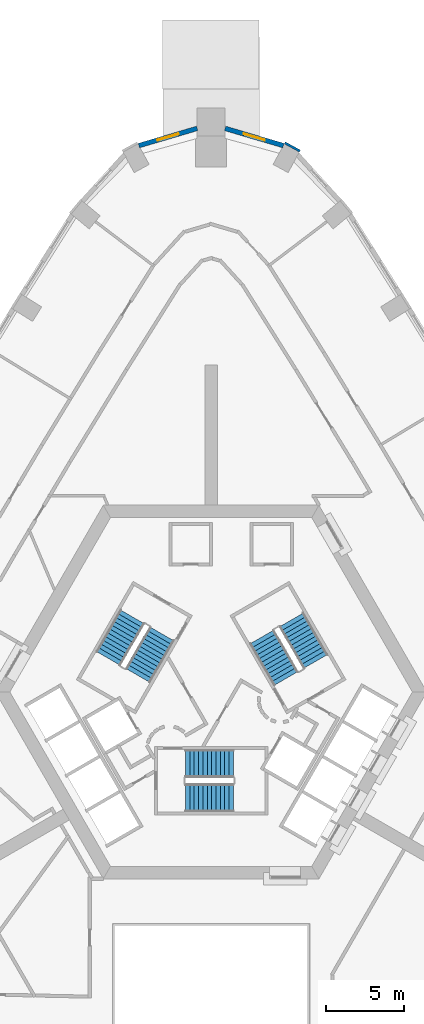
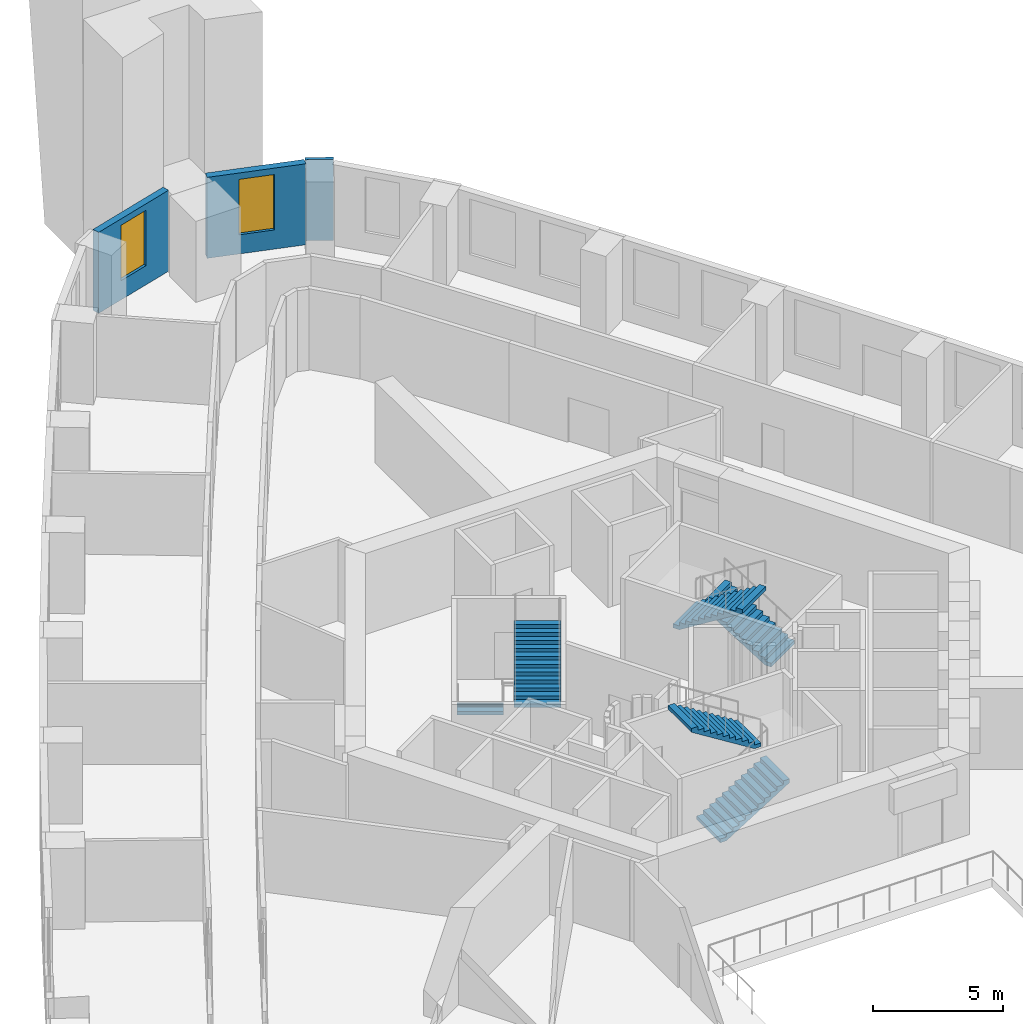
# One storey, part 11 of 14: 6 stair flights, 3 walls, 2 windows, 2 openings, 3 elements without a shape of their own.
"""IFC4 building model written with IfcOpenShell, lengths in metres."""

from ifc_helpers import new_model, si_unit, direction, frame, frame_2d, origin, place, context, subcontext, project, spatial, polyline, rectangle, outline, extrude, material, layer, layer_set, type_object, element, fill, aggregate, save


model = new_model("IFC4")

# Units and contexts
model_context = context("Model", 3, precision=1e-05, world=origin(), true_north=direction((0.0, 1.0)))
body_context = subcontext(model_context, "Body", "Model", "MODEL_VIEW")
ifc_project = project(units=[si_unit("LENGTHUNIT", "METRE"), si_unit("AREAUNIT", "SQUARE_METRE"), si_unit("VOLUMEUNIT", "CUBIC_METRE"), si_unit("PLANEANGLEUNIT", "RADIAN"), si_unit("MASSUNIT", "GRAM", prefix="KILO")], contexts=[model_context])

# Site, building, storey
site_placement = place(None, origin())
site = spatial("IfcSite", under=ifc_project, at=site_placement, CompositionType="ELEMENT")
building_placement = place(site_placement, origin())
building = spatial("IfcBuilding", under=site, at=building_placement, Name="Entoto Arch Interchange Tower", CompositionType="ELEMENT")
storey_placement = place(building_placement, frame((0.0, 0.0, 163.39990234375)))
storey = spatial("IfcBuildingStorey", under=building, at=storey_placement, Name="L36", CompositionType="ELEMENT", Elevation=163.39990234375)

# Wall, opening, window
ifc_material_1 = material(Name="Welded tuff (ignimbrite) cladding, warm buff", Category="masonry")
ifc_layer_1 = layer(ifc_material_1, 0.300048828125)
ifc_layer_set_1 = layer_set([ifc_layer_1], Name="Welded tuff (ignimbrite) cladding, warm buff")
wall_type_1 = type_object("IfcWallType", Name="STONE INFILL WALL 300", PredefinedType="STANDARD", material=ifc_layer_set_1)
wall_1_placement = place(storey_placement, frame((4.64111328125, 37.60400390625, 0.0), z_axis=(0.0, 0.0, 1.0), x_axis=(-0.959064064953, 0.283189193501, 0.0)))
wall_1 = element("IfcWall", 1, at=wall_1_placement, inside=storey, type_object=wall_type_1, Name="Facade wall N-02 L36", PredefinedType="STANDARD", context=body_context, shape_type="SweptSolid", body=[
    extrude(rectangle(XDim=3.90185546875, YDim=0.300048828125, at=frame_2d((1.950927734375, 0.0))), origin(), (0.0, 0.0, 1.0), 3.800048828125),
])
opening_1_placement = place(wall_1_placement, frame((1.2509765625, 0.0, 0.89990234375)))
opening_1 = element("IfcOpeningElement", 2, at=opening_1_placement, cuts=wall_1, Name="Opening WO-B", PredefinedType="OPENING", context=body_context, shape_type="SweptSolid", body=[
    extrude(rectangle(XDim=1.39990234375, YDim=2.60009765625, at=frame_2d((0.699951171875, 1.300048828125))), frame((0.0, 0.16015625, 0.0), z_axis=(0.0, -1.0, 0.0), x_axis=(1.0, 0.0, 0.0)), (0.0, 0.0, 1.0), 0.320068359375),
])
ifc_material_2 = material(Name="Clear glass, low-e double glazed", Category="glass")
window_type = type_object("IfcWindowType", Name="WINDOW WO-B 1400x2600", PartitioningType="DOUBLE_PANEL_VERTICAL", PredefinedType="WINDOW", material=ifc_material_2)
window_1_placement = place(opening_1_placement, origin())
window_1 = element("IfcWindow", 3, at=window_1_placement, inside=storey, type_object=window_type, Name="Window WO-B N-02 L36", OverallHeight=2.60009765625, OverallWidth=1.39990234375, PartitioningType="SINGLE_PANEL", PredefinedType="WINDOW", context=body_context, shape_type="SweptSolid", body=[
    extrude(rectangle(XDim=1.39990234375, YDim=2.60009765625, at=frame_2d((0.699951171875, 1.300048828125))), frame((0.0, 0.030029296875, 0.0), z_axis=(0.0, -1.0, 0.0), x_axis=(1.0, 0.0, 0.0)), (0.0, 0.0, 1.0), 0.06005859375),
])
fill(opening_1, window_1)

wall_2_placement = place(storey_placement, frame((-0.89892578125, 38.708984375, 0.0), z_axis=(0.0, 0.0, 1.0), x_axis=(-0.959064064953, -0.283189193501, 0.0)))
wall_2 = element("IfcWall", 4, at=wall_2_placement, inside=storey, type_object=wall_type_1, Name="Facade wall N-03 L36", PredefinedType="STANDARD", context=body_context, shape_type="SweptSolid", body=[
    extrude(rectangle(XDim=3.90185546875, YDim=0.300048828125, at=frame_2d((1.950927734375, 0.0))), origin(), (0.0, 0.0, 1.0), 3.800048828125),
])
opening_2_placement = place(wall_2_placement, frame((1.2509765625, 0.0, 0.89990234375)))
opening_2 = element("IfcOpeningElement", 5, at=opening_2_placement, cuts=wall_2, Name="Opening WO-B", PredefinedType="OPENING", context=body_context, shape_type="SweptSolid", body=[
    extrude(rectangle(XDim=1.39990234375, YDim=2.60009765625, at=frame_2d((0.699951171875, 1.300048828125))), frame((0.0, 0.16015625, 0.0), z_axis=(0.0, -1.0, 0.0), x_axis=(1.0, 0.0, 0.0)), (0.0, 0.0, 1.0), 0.320068359375),
])
window_2_placement = place(opening_2_placement, origin())
window_2 = element("IfcWindow", 6, at=window_2_placement, inside=storey, type_object=window_type, Name="Window WO-B N-03 L36", OverallHeight=2.60009765625, OverallWidth=1.39990234375, PartitioningType="SINGLE_PANEL", PredefinedType="WINDOW", context=body_context, shape_type="SweptSolid", body=[
    extrude(rectangle(XDim=1.39990234375, YDim=2.60009765625, at=frame_2d((0.699951171875, 1.300048828125))), frame((0.0, 0.030029296875, 0.0), z_axis=(0.0, -1.0, 0.0), x_axis=(1.0, 0.0, 0.0)), (0.0, 0.0, 1.0), 0.06005859375),
])
fill(opening_2, window_2)

# Wall
ifc_layer_2 = layer(ifc_material_1, 0.14990234375)
ifc_layer_set_2 = layer_set([ifc_layer_2], Name="Welded tuff (ignimbrite) cladding, warm buff")
wall_type_2 = type_object("IfcWallType", Name="STONE PIER CLADDING 150", PredefinedType="STANDARD", material=ifc_layer_set_2)
wall_3_placement = place(storey_placement, frame((5.699951171875, 37.2509765625, 0.0), z_axis=(0.0, 0.0, 1.0), x_axis=(-0.877836219403, 0.478960929414, 0.0)))
element("IfcWall", 7, at=wall_3_placement, inside=storey, type_object=wall_type_2, Name="Stone pier N1 L36", PredefinedType="STANDARD", context=body_context, shape_type="SweptSolid", body=[
    extrude(rectangle(XDim=1.1005859375, YDim=0.14990234375, at=frame_2d((0.55029296875, 0.0))), origin(), (0.0, 0.0, 1.0), 3.800048828125),
])

# Stair, stair flights
ifc_material_3 = material(Name="Concrete C40/50", Category="concrete")
stair_type = type_object("IfcStairType", Name="EXIT STAIR RC 1800", PredefinedType="HALF_TURN_STAIR", material=ifc_material_3)
stair_1_placement = place(storey_placement, origin())
stair_1 = element("IfcStair", 8, at=stair_1_placement, inside=storey, type_object=stair_type, Name="L36 Exit stair S", PredefinedType="HALF_TURN_STAIR")
stair_flight_type = type_object("IfcStairFlightType", Name="EXIT STAIR FLIGHT RC 1800", PredefinedType="STRAIGHT", material=ifc_material_3)
stair_flight_1_placement = place(storey_placement, frame((-1.64990234375, -4.300048828125, 0.0), z_axis=(0.0, 0.0, 1.0), x_axis=(1.0, 0.0, 0.0)))
stair_flight_1 = element("IfcStairFlight", 9, at=stair_flight_1_placement, type_object=stair_flight_type, Name="ST-S flight 1", NumberOfRisers=12, NumberOfTreads=11, PredefinedType="STRAIGHT", RiserHeight=0.175, TreadLength=0.28, context=body_context, shape_type="SweptSolid", body=[
    extrude(outline(polyline([(-0.0029296875, 0.0), (-0.0029296875, 0.175048828125), (0.280029296875, 0.175048828125), (0.280029296875, 0.35009765625), (0.56005859375, 0.35009765625), (0.56005859375, 0.52490234375), (0.840087890625, 0.52490234375), (0.840087890625, 0.699951171875), (1.1201171875, 0.699951171875), (1.1201171875, 0.875), (1.39990234375, 0.875), (1.39990234375, 1.050048828125), (1.679931640625, 1.050048828125), (1.679931640625, 1.22509765625), (1.9599609375, 1.22509765625), (1.9599609375, 1.39990234375), (2.239990234375, 1.39990234375), (2.239990234375, 1.574951171875), (2.52001953125, 1.574951171875), (2.52001953125, 1.75), (2.800048828125, 1.75), (2.800048828125, 1.925048828125), (3.080078125, 1.925048828125), (3.0830078125, 1.925048828125), (3.0830078125, 1.75), (0.28271484375, 0.0), (-0.0029296875, 0.0)])), frame((0.0, 0.89990234375, 0.0), z_axis=(0.0, -1.0, 0.0), x_axis=(1.0, 0.0, 0.0)), (0.0, 0.0, 1.0), 1.800048828125),
])
stair_flight_2_placement = place(storey_placement, frame((1.429931640625, -2.10009765625, 2.10009765625), z_axis=(0.0, 0.0, 1.0), x_axis=(-1.0, 0.0, 0.0)))
stair_flight_2 = element("IfcStairFlight", 10, at=stair_flight_2_placement, type_object=stair_flight_type, Name="ST-S flight 2", NumberOfRisers=12, NumberOfTreads=11, PredefinedType="STRAIGHT", RiserHeight=0.175, TreadLength=0.28, context=body_context, shape_type="SweptSolid", body=[
    extrude(outline(polyline([(-0.0029296875, 0.0), (-0.0029296875, 0.175048828125), (0.280029296875, 0.175048828125), (0.280029296875, 0.35009765625), (0.56005859375, 0.35009765625), (0.56005859375, 0.52490234375), (0.840087890625, 0.52490234375), (0.840087890625, 0.699951171875), (1.1201171875, 0.699951171875), (1.1201171875, 0.875), (1.39990234375, 0.875), (1.39990234375, 1.050048828125), (1.679931640625, 1.050048828125), (1.679931640625, 1.22509765625), (1.9599609375, 1.22509765625), (1.9599609375, 1.39990234375), (2.239990234375, 1.39990234375), (2.239990234375, 1.574951171875), (2.52001953125, 1.574951171875), (2.52001953125, 1.75), (2.800048828125, 1.75), (2.800048828125, 1.925048828125), (3.080078125, 1.925048828125), (3.0830078125, 1.925048828125), (3.0830078125, 1.75), (0.28271484375, 0.0), (-0.0029296875, 0.0)])), frame((0.0, 0.89990234375, 0.0), z_axis=(0.0, -1.0, 0.0), x_axis=(1.0, 0.0, 0.0)), (0.0, 0.0, 1.0), 1.800048828125),
])
aggregate(stair_1, [stair_flight_1, stair_flight_2])

stair_2_placement = place(storey_placement, origin())
stair_2 = element("IfcStair", 11, at=stair_2_placement, inside=storey, type_object=stair_type, Name="L36 Exit stair NE", PredefinedType="HALF_TURN_STAIR")
stair_flight_3_placement = place(storey_placement, frame((6.7138671875, 4.470947265625, 0.0), z_axis=(0.0, 0.0, 1.0), x_axis=(-0.5, 0.866025403784, 0.0)))
stair_flight_3 = element("IfcStairFlight", 12, at=stair_flight_3_placement, type_object=stair_flight_type, Name="ST-NE flight 1", NumberOfRisers=12, NumberOfTreads=11, PredefinedType="STRAIGHT", RiserHeight=0.175, TreadLength=0.28, context=body_context, shape_type="SweptSolid", body=[
    extrude(outline(polyline([(-0.0029296875, 0.0), (-0.0029296875, 0.175048828125), (0.280029296875, 0.175048828125), (0.280029296875, 0.35009765625), (0.56005859375, 0.35009765625), (0.56005859375, 0.52490234375), (0.840087890625, 0.52490234375), (0.840087890625, 0.699951171875), (1.1201171875, 0.699951171875), (1.1201171875, 0.875), (1.39990234375, 0.875), (1.39990234375, 1.050048828125), (1.679931640625, 1.050048828125), (1.679931640625, 1.22509765625), (1.9599609375, 1.22509765625), (1.9599609375, 1.39990234375), (2.239990234375, 1.39990234375), (2.239990234375, 1.574951171875), (2.52001953125, 1.574951171875), (2.52001953125, 1.75), (2.800048828125, 1.75), (2.800048828125, 1.925048828125), (3.080078125, 1.925048828125), (3.0830078125, 1.925048828125), (3.0830078125, 1.75), (0.28271484375, 0.0), (-0.0029296875, 0.0)])), frame((0.0, 0.89990234375, 0.0), z_axis=(0.0, -1.0, 0.0), x_axis=(1.0, 0.0, 0.0)), (0.0, 0.0, 1.0), 1.800048828125),
])
stair_flight_4_placement = place(storey_placement, frame((3.268798828125, 6.038330078125, 2.10009765625), z_axis=(0.0, 0.0, 1.0), x_axis=(0.5, -0.866025403784, 0.0)))
stair_flight_4 = element("IfcStairFlight", 13, at=stair_flight_4_placement, type_object=stair_flight_type, Name="ST-NE flight 2", NumberOfRisers=12, NumberOfTreads=11, PredefinedType="STRAIGHT", RiserHeight=0.175, TreadLength=0.28, context=body_context, shape_type="SweptSolid", body=[
    extrude(outline(polyline([(-0.0029296875, 0.0), (-0.0029296875, 0.175048828125), (0.280029296875, 0.175048828125), (0.280029296875, 0.35009765625), (0.56005859375, 0.35009765625), (0.56005859375, 0.52490234375), (0.840087890625, 0.52490234375), (0.840087890625, 0.699951171875), (1.1201171875, 0.699951171875), (1.1201171875, 0.875), (1.39990234375, 0.875), (1.39990234375, 1.050048828125), (1.679931640625, 1.050048828125), (1.679931640625, 1.22509765625), (1.9599609375, 1.22509765625), (1.9599609375, 1.39990234375), (2.239990234375, 1.39990234375), (2.239990234375, 1.574951171875), (2.52001953125, 1.574951171875), (2.52001953125, 1.75), (2.800048828125, 1.75), (2.800048828125, 1.925048828125), (3.080078125, 1.925048828125), (3.0830078125, 1.925048828125), (3.0830078125, 1.75), (0.28271484375, 0.0), (-0.0029296875, 0.0)])), frame((0.0, 0.89990234375, 0.0), z_axis=(0.0, -1.0, 0.0), x_axis=(1.0, 0.0, 0.0)), (0.0, 0.0, 1.0), 1.800048828125),
])
aggregate(stair_2, [stair_flight_3, stair_flight_4])

stair_3_placement = place(storey_placement, origin())
stair_3 = element("IfcStair", 14, at=stair_3_placement, inside=storey, type_object=stair_type, Name="L36 Exit stair NW", PredefinedType="HALF_TURN_STAIR")
stair_flight_5_placement = place(storey_placement, frame((-5.06396484375, 7.328857421875, 0.0), z_axis=(0.0, 0.0, 1.0), x_axis=(-0.5, -0.866025403784, 0.0)))
stair_flight_5 = element("IfcStairFlight", 15, at=stair_flight_5_placement, type_object=stair_flight_type, Name="ST-NW flight 1", NumberOfRisers=12, NumberOfTreads=11, PredefinedType="STRAIGHT", RiserHeight=0.175, TreadLength=0.28, context=body_context, shape_type="SweptSolid", body=[
    extrude(outline(polyline([(-0.0029296875, 0.0), (-0.0029296875, 0.175048828125), (0.280029296875, 0.175048828125), (0.280029296875, 0.35009765625), (0.56005859375, 0.35009765625), (0.56005859375, 0.52490234375), (0.840087890625, 0.52490234375), (0.840087890625, 0.699951171875), (1.1201171875, 0.699951171875), (1.1201171875, 0.875), (1.39990234375, 0.875), (1.39990234375, 1.050048828125), (1.679931640625, 1.050048828125), (1.679931640625, 1.22509765625), (1.9599609375, 1.22509765625), (1.9599609375, 1.39990234375), (2.239990234375, 1.39990234375), (2.239990234375, 1.574951171875), (2.52001953125, 1.574951171875), (2.52001953125, 1.75), (2.800048828125, 1.75), (2.800048828125, 1.925048828125), (3.080078125, 1.925048828125), (3.0830078125, 1.925048828125), (3.0830078125, 1.75), (0.28271484375, 0.0), (-0.0029296875, 0.0)])), frame((0.0, 0.89990234375, 0.0), z_axis=(0.0, -1.0, 0.0), x_axis=(1.0, 0.0, 0.0)), (0.0, 0.0, 1.0), 1.800048828125),
])
stair_flight_6_placement = place(storey_placement, frame((-4.69873046875, 3.5615234375, 2.10009765625), z_axis=(0.0, 0.0, 1.0), x_axis=(0.5, 0.866025403784, 0.0)))
stair_flight_6 = element("IfcStairFlight", 16, at=stair_flight_6_placement, type_object=stair_flight_type, Name="ST-NW flight 2", NumberOfRisers=12, NumberOfTreads=11, PredefinedType="STRAIGHT", RiserHeight=0.175, TreadLength=0.28, context=body_context, shape_type="SweptSolid", body=[
    extrude(outline(polyline([(-0.0029296875, 0.0), (-0.0029296875, 0.175048828125), (0.280029296875, 0.175048828125), (0.280029296875, 0.35009765625), (0.56005859375, 0.35009765625), (0.56005859375, 0.52490234375), (0.840087890625, 0.52490234375), (0.840087890625, 0.699951171875), (1.1201171875, 0.699951171875), (1.1201171875, 0.875), (1.39990234375, 0.875), (1.39990234375, 1.050048828125), (1.679931640625, 1.050048828125), (1.679931640625, 1.22509765625), (1.9599609375, 1.22509765625), (1.9599609375, 1.39990234375), (2.239990234375, 1.39990234375), (2.239990234375, 1.574951171875), (2.52001953125, 1.574951171875), (2.52001953125, 1.75), (2.800048828125, 1.75), (2.800048828125, 1.925048828125), (3.080078125, 1.925048828125), (3.0830078125, 1.925048828125), (3.0830078125, 1.75), (0.28271484375, 0.0), (-0.0029296875, 0.0)])), frame((0.0, 0.89990234375, 0.0), z_axis=(0.0, -1.0, 0.0), x_axis=(1.0, 0.0, 0.0)), (0.0, 0.0, 1.0), 1.800048828125),
])
aggregate(stair_3, [stair_flight_5, stair_flight_6])

save(model, "model.ifc")
